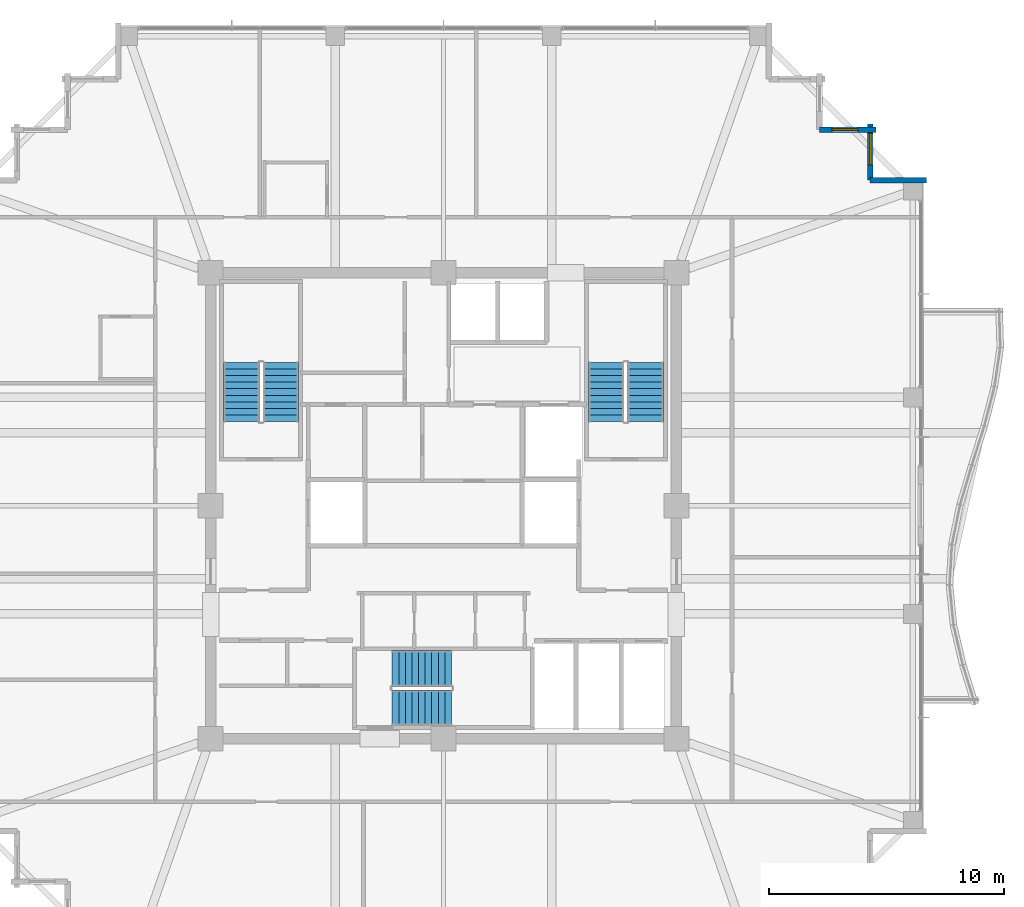
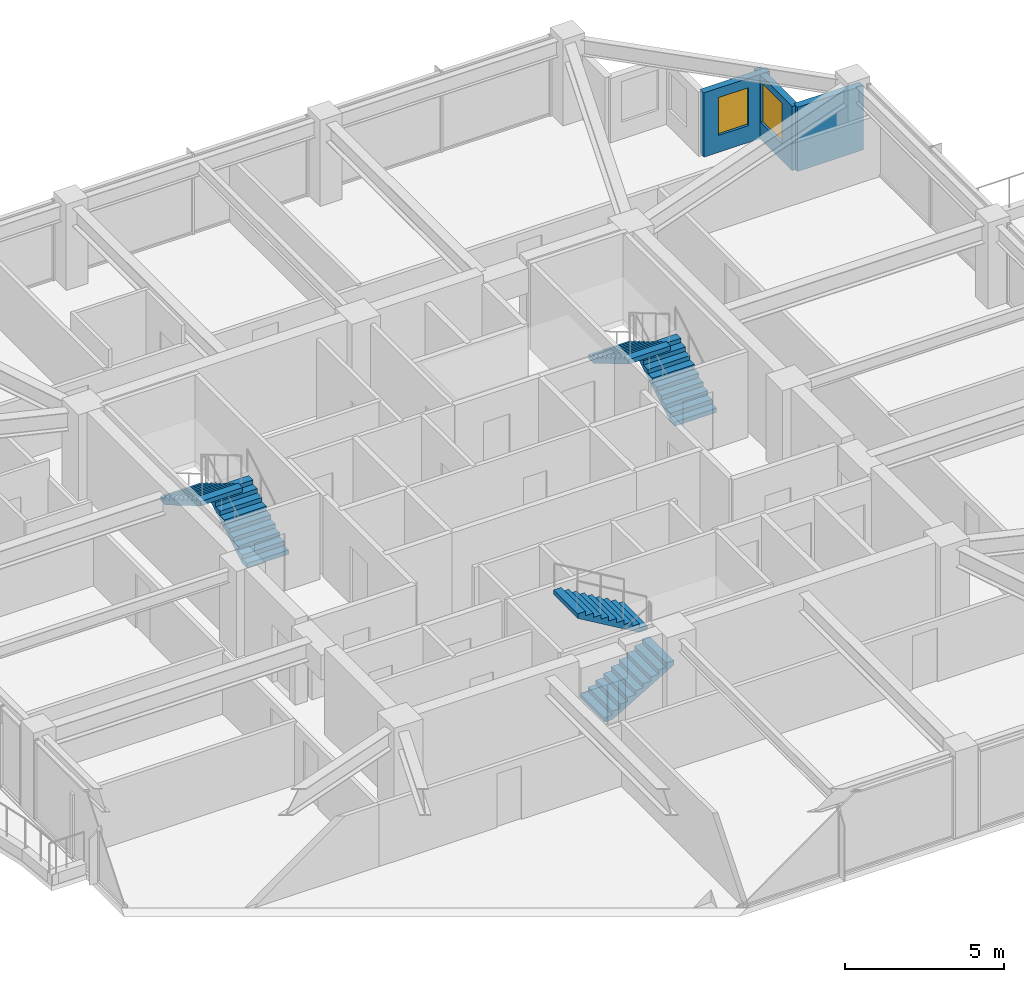
# One storey, part 32 of 34: 6 stair flights, 3 walls, 2 windows, 2 openings, 3 elements without a shape of their own.
"""IFC4 building model written with IfcOpenShell, lengths in metres."""

import ifcopenshell
import ifcopenshell.guid

model = None  # the IFC model being written
_history = None  # IfcOwnerHistory: only IFC2X3 demands one
_inside = {}  # id of a spatial element -> (the spatial element, [elements in it])
_under = {}  # id of a project, library or spatial element -> (it, [spatial elements below it])
_declared = {}  # id of a project -> (the project, [libraries it declares])
_typed = {}  # id of a type object -> (the type object, [elements of that type])
_made_of = {}  # id of a material, layer set ... -> (it, [elements and type objects made of it])


def new_model(schema):
    """Start an empty IFC model of exactly this schema.

    Asked for "IFC4X3", IfcOpenShell would pick the latest addendum, in which some entities
    have other attributes; the version numbers below select the first issue.
    IFC2X3 requires an IfcOwnerHistory on every rooted entity: one is made here for all.
    """
    global model, _history
    if schema == "IFC4X3":
        model = ifcopenshell.file(schema_version=(4, 3, 0, 0))
    else:
        model = ifcopenshell.file(schema=schema)
    _inside.clear()
    _under.clear()
    _declared.clear()
    _typed.clear()
    _made_of.clear()
    _history = None
    if model.schema == "IFC2X3":
        org = make("IfcOrganization", Name="unknown")
        user = make(
            "IfcPersonAndOrganization",
            ThePerson=make("IfcPerson", FamilyName="unknown"),
            TheOrganization=org,
        )
        app = make(
            "IfcApplication",
            ApplicationDeveloper=org,
            Version="unknown",
            ApplicationFullName="unknown",
            ApplicationIdentifier="unknown",
        )
        _history = make(
            "IfcOwnerHistory",
            OwningUser=user,
            OwningApplication=app,
            ChangeAction="ADDED",
            CreationDate=0,
        )
    return model


def make(cls, **values):
    """One entity of the class cls with the attributes given. An attribute that is None is left unset."""
    return model.create_entity(
        cls, **{name: value for name, value in values.items() if value is not None}
    )


def rooted(cls, **values):
    """An entity with a GlobalId (a new one), such as an element, a storey or a relation."""
    return make(cls, GlobalId=ifcopenshell.guid.new(), OwnerHistory=_history, **values)


def si_unit(unit_type, name, prefix=None):
    """IfcSIUnit, for example si_unit("LENGTHUNIT", "METRE", prefix="MILLI")."""
    return make("IfcSIUnit", UnitType=unit_type, Prefix=prefix, Name=name)


def assignment(units):
    """IfcUnitAssignment: the units of a project."""
    return None if units is None else make("IfcUnitAssignment", Units=units)


def point(xyz):
    """IfcCartesianPoint."""
    return None if xyz is None else make("IfcCartesianPoint", Coordinates=xyz)


def direction(xyz):
    """IfcDirection."""
    return None if xyz is None else make("IfcDirection", DirectionRatios=xyz)


def frame(location, z_axis=None, x_axis=None):
    """IfcAxis2Placement3D, a coordinate frame: its origin and axes. An axis left out is left unset."""
    return make(
        "IfcAxis2Placement3D",
        Location=point(location),
        Axis=direction(z_axis),
        RefDirection=direction(x_axis),
    )


def frame_2d(location, x_axis=None):
    """IfcAxis2Placement2D, a coordinate frame in the plane: its origin and x axis."""
    return make(
        "IfcAxis2Placement2D", Location=point(location), RefDirection=direction(x_axis)
    )


def origin():
    """The frame at (0, 0, 0) with its axes left unset."""
    return frame((0.0, 0.0, 0.0))


def place(relative_to, where):
    """IfcLocalPlacement: puts the frame where relative to a parent placement (None: the world)."""
    return make(
        "IfcLocalPlacement", PlacementRelTo=relative_to, RelativePlacement=where
    )


def context(
    kind, dimensions, precision=None, world=None, true_north=None, identifier=None
):
    """IfcGeometricRepresentationContext, for example the 3D "Model" context."""
    return make(
        "IfcGeometricRepresentationContext",
        ContextIdentifier=identifier,
        ContextType=kind,
        CoordinateSpaceDimension=dimensions,
        Precision=precision,
        WorldCoordinateSystem=world,
        TrueNorth=true_north,
    )


def subcontext(parent, identifier, kind, view, scale=None):
    """IfcGeometricRepresentationSubContext, for example "Body" below "Model"."""
    return make(
        "IfcGeometricRepresentationSubContext",
        ContextIdentifier=identifier,
        ContextType=kind,
        ParentContext=parent,
        TargetScale=scale,
        TargetView=view,
    )


def project(units=None, contexts=None):
    """IfcProject with its units and contexts."""
    return rooted(
        "IfcProject",
        Name="project",
        RepresentationContexts=contexts,
        UnitsInContext=assignment(units),
    )


def spatial(cls, under=None, at=None, **own):
    """A site, building, storey or space (cls), placed at a placement, below another one or the project."""
    s = rooted(cls, ObjectPlacement=at, **own)
    if under is not None:
        _under.setdefault(under.id(), (under, []))[1].append(s)
    return s


def polyline(points):
    """IfcPolyline through the points."""
    return make("IfcPolyline", Points=[point(p) for p in points])


def profile(cls, at=None, kind="AREA", **sizes):
    """A parametric profile (cls). Its sizes go by their IFC names, for example OverallWidth=200.0."""
    return make(cls, ProfileType=kind, Position=at, **sizes)


def rectangle(**sizes):
    """IfcRectangleProfileDef."""
    return profile("IfcRectangleProfileDef", **sizes)


def outline(outer, holes=None, kind="AREA"):
    """IfcArbitraryClosedProfileDef: a profile drawn as a closed curve; with holes, ...WithVoids."""
    if holes is None:
        return make("IfcArbitraryClosedProfileDef", ProfileType=kind, OuterCurve=outer)
    return make(
        "IfcArbitraryProfileDefWithVoids",
        ProfileType=kind,
        OuterCurve=outer,
        InnerCurves=holes,
    )


def extrude(swept, where, along, depth):
    """IfcExtrudedAreaSolid: the profile swept, set in the frame where, extruded along a direction by depth."""
    return make(
        "IfcExtrudedAreaSolid",
        SweptArea=swept,
        Position=where,
        ExtrudedDirection=direction(along),
        Depth=depth,
    )


def shape(context_of_items, identifier, shape_type, items):
    """IfcShapeRepresentation: the items that make up one representation, for example the "Body"."""
    return make(
        "IfcShapeRepresentation",
        ContextOfItems=context_of_items,
        RepresentationIdentifier=identifier,
        RepresentationType=shape_type,
        Items=items,
    )


def material(Name=None, Category=None):
    """IfcMaterial."""
    return make("IfcMaterial", Name=Name, Category=Category)


def layer(
    of_material, thickness, ventilated=None, Name=None, Category=None, Priority=None
):
    """IfcMaterialLayer: one layer of a wall or slab, of a material (None: an air gap)."""
    return make(
        "IfcMaterialLayer",
        Material=of_material,
        LayerThickness=thickness,
        IsVentilated=ventilated,
        Name=Name,
        Category=Category,
        Priority=Priority,
    )


def layer_set(layers, Name=None):
    """IfcMaterialLayerSet."""
    return make("IfcMaterialLayerSet", MaterialLayers=layers, LayerSetName=Name)


def made_of(thing, what):
    """Note that an element or type object is made of a material, layer set ...; save() writes the relation."""
    if what is not None:
        _made_of.setdefault(what.id(), (what, []))[1].append(thing)
    return thing


def type_object(cls, material=None, **own):
    """A type object (cls), such as IfcWallType, which elements share."""
    return made_of(rooted(cls, **own), material)


def element(
    cls,
    number,
    at=None,
    inside=None,
    cuts=None,
    type_object=None,
    material=None,
    context=None,
    identifier="Body",
    shape_type=None,
    held_by="IfcProductDefinitionShape",
    body=None,
    shapes=None,
    **own,
):
    """One element of the class cls, such as IfcWall. Its Tag is "e" and its number.

    at: its placement. inside: the storey or other place that contains it. cuts: it is an
    opening in that element (IfcRelVoidsElement). A single representation is given by context,
    identifier, shape_type and body (its items); several are given by shapes. held_by: the class
    of the entity that holds the representations. save() writes the other relations.
    """
    e = rooted(cls, Tag="e%d" % number, ObjectPlacement=at, **own)
    if body is not None:
        shapes = [shape(context, identifier, shape_type, body)]
    if shapes is not None:
        e.Representation = make(held_by, Representations=shapes)
    if inside is not None:
        _inside.setdefault(inside.id(), (inside, []))[1].append(e)
    if cuts is not None:
        rooted(
            "IfcRelVoidsElement", RelatingBuildingElement=cuts, RelatedOpeningElement=e
        )
    if type_object is not None:
        _typed.setdefault(type_object.id(), (type_object, []))[1].append(e)
    return made_of(e, material)


def fill(opening, filler):
    """IfcRelFillsElement: the door or window that sits in an opening."""
    return rooted(
        "IfcRelFillsElement",
        RelatingOpeningElement=opening,
        RelatedBuildingElement=filler,
    )


def aggregate(whole, parts):
    """IfcRelAggregates: a whole, such as a stair, and the parts it consists of."""
    return rooted("IfcRelAggregates", RelatingObject=whole, RelatedObjects=parts)


def save(model, path):
    """Write the relations noted so far, then the file.

    IfcRelAggregates (storeys below a building ...), IfcRelContainedInSpatialStructure (elements
    in a storey), IfcRelDefinesByType, IfcRelAssociatesMaterial and IfcRelDeclares: one each for
    every whole, place, type object, material and project.
    """
    for whole, parts in _under.values():
        aggregate(whole, parts)
    for where, things in _inside.values():
        rooted(
            "IfcRelContainedInSpatialStructure",
            RelatedElements=things,
            RelatingStructure=where,
        )
    for kind, things in _typed.values():
        rooted("IfcRelDefinesByType", RelatedObjects=things, RelatingType=kind)
    for what, things in _made_of.values():
        rooted("IfcRelAssociatesMaterial", RelatedObjects=things, RelatingMaterial=what)
    for by, libraries in _declared.values():
        rooted("IfcRelDeclares", RelatingContext=by, RelatedDefinitions=libraries)
    model.write(path)


model = new_model("IFC4")

# Units and contexts
model_context = context("Model", 3, precision=1e-05, world=origin(), true_north=direction((0.0, 1.0)))
body_context = subcontext(model_context, "Body", "Model", "MODEL_VIEW")
ifc_project = project(units=[si_unit("LENGTHUNIT", "METRE"), si_unit("AREAUNIT", "SQUARE_METRE"), si_unit("VOLUMEUNIT", "CUBIC_METRE"), si_unit("PLANEANGLEUNIT", "RADIAN"), si_unit("MASSUNIT", "GRAM", prefix="KILO")], contexts=[model_context])

# Site, building, storey
site_placement = place(None, origin())
site = spatial("IfcSite", under=ifc_project, at=site_placement, CompositionType="ELEMENT")
building_placement = place(site_placement, origin())
building = spatial("IfcBuilding", under=site, at=building_placement, Name="Kolvaren Belvedere", CompositionType="ELEMENT")
storey_placement = place(building_placement, frame((0.0, 0.0, 222.89990234375)))
storey = spatial("IfcBuildingStorey", under=building, at=storey_placement, Name="L65", CompositionType="ELEMENT", Elevation=222.89990234375)

# Wall
ifc_material_1 = material(Name="Insulated pale-metal facade wall assembly", Category="aluminium")
ifc_layer = layer(ifc_material_1, 0.239990234375)
ifc_layer_set = layer_set([ifc_layer], Name="Insulated pale-metal facade wall assembly")
wall_type = type_object("IfcWallType", Name="WL-EXT-240", PredefinedType="STANDARD", material=ifc_layer_set)
wall_1_placement = place(storey_placement, frame((18.1298828125, 13.830078125, 0.0), z_axis=(0.0, 0.0, 1.0), x_axis=(1.0, 0.0, 0.0)))
element("IfcWall", 1, at=wall_1_placement, inside=storey, type_object=wall_type, Name="L65 Serrated Corner Facade Wall 9", PredefinedType="STANDARD", context=body_context, shape_type="SweptSolid", body=[
    extrude(rectangle(XDim=2.39013671875, YDim=0.239990234375, at=frame_2d((1.195068359375, 0.0))), origin(), (0.0, 0.0, 1.0), 2.463134765625),
])

# Wall, opening, window
wall_2_placement = place(storey_placement, frame((18.1298828125, 16.219970703125, 0.0), z_axis=(0.0, 0.0, 1.0), x_axis=(0.0, -1.0, 0.0)))
wall_2 = element("IfcWall", 2, at=wall_2_placement, inside=storey, type_object=wall_type, Name="L65 Serrated Corner Facade Wall 10", PredefinedType="STANDARD", context=body_context, shape_type="SweptSolid", body=[
    extrude(rectangle(XDim=2.389892578125, YDim=0.239990234375, at=frame_2d((1.19482421875, 0.0))), origin(), (0.0, 0.0, 1.0), 2.463134765625),
])
opening_1_placement = place(wall_2_placement, frame((0.39990234375, 0.0, 0.64990234375)))
opening_1 = element("IfcOpeningElement", 3, at=opening_1_placement, cuts=wall_2, Name="Opening W-1350", PredefinedType="OPENING", context=body_context, shape_type="SweptSolid", body=[
    extrude(rectangle(XDim=1.35009765625, YDim=1.550048828125, at=frame_2d((0.675048828125, 0.77490234375))), frame((0.0, 0.1298828125, 0.0), z_axis=(0.0, -1.0, 0.0), x_axis=(1.0, 0.0, 0.0)), (0.0, 0.0, 1.0), 0.260009765625),
])
ifc_material_2 = material(Name="Low-iron triple insulated glass", Category="glass")
window_type_1 = type_object("IfcWindowType", Name="WN-CORN-1350", PartitioningType="SINGLE_PANEL", PredefinedType="WINDOW", material=ifc_material_2)
window_1_placement = place(opening_1_placement, origin())
window_1 = element("IfcWindow", 4, at=window_1_placement, inside=storey, type_object=window_type_1, Name="L65 Serrated Corner Vision Window 10", OverallHeight=1.550048828125, OverallWidth=1.35009765625, PartitioningType="SINGLE_PANEL", PredefinedType="WINDOW", context=body_context, shape_type="SweptSolid", body=[
    extrude(rectangle(XDim=1.35009765625, YDim=1.550048828125, at=frame_2d((0.675048828125, 0.77490234375))), frame((0.0, 0.030029296875, 0.0), z_axis=(0.0, -1.0, 0.0), x_axis=(1.0, 0.0, 0.0)), (0.0, 0.0, 1.0), 0.06005859375),
])
fill(opening_1, window_1)

wall_3_placement = place(storey_placement, frame((15.97998046875, 15.97998046875, 0.0), z_axis=(0.0, 0.0, 1.0), x_axis=(1.0, 0.0, 0.0)))
wall_3 = element("IfcWall", 5, at=wall_3_placement, inside=storey, type_object=wall_type, Name="L65 Serrated Corner Facade Wall 11", PredefinedType="STANDARD", context=body_context, shape_type="SweptSolid", body=[
    extrude(rectangle(XDim=2.39013671875, YDim=0.239990234375, at=frame_2d((1.195068359375, 0.0))), origin(), (0.0, 0.0, 1.0), 2.463134765625),
])
opening_2_placement = place(wall_3_placement, frame((0.52490234375, 0.0, 0.64990234375)))
opening_2 = element("IfcOpeningElement", 6, at=opening_2_placement, cuts=wall_3, Name="Opening W-1100", PredefinedType="OPENING", context=body_context, shape_type="SweptSolid", body=[
    extrude(rectangle(XDim=1.10009765625, YDim=1.449951171875, at=frame_2d((0.550048828125, 0.72509765625))), frame((0.0, 0.1298828125, 0.0), z_axis=(0.0, -1.0, 0.0), x_axis=(1.0, 0.0, 0.0)), (0.0, 0.0, 1.0), 0.260009765625),
])
ifc_material_3 = material(Name="Low-iron triple insulated glass", Category="glass")
window_type_2 = type_object("IfcWindowType", Name="WN-CORN-1100", PartitioningType="SINGLE_PANEL", PredefinedType="WINDOW", material=ifc_material_3)
window_2_placement = place(opening_2_placement, origin())
window_2 = element("IfcWindow", 7, at=window_2_placement, inside=storey, type_object=window_type_2, Name="L65 Serrated Corner Vision Window 11", OverallHeight=1.449951171875, OverallWidth=1.10009765625, PartitioningType="SINGLE_PANEL", PredefinedType="WINDOW", context=body_context, shape_type="SweptSolid", body=[
    extrude(rectangle(XDim=1.10009765625, YDim=1.449951171875, at=frame_2d((0.550048828125, 0.72509765625))), frame((0.0, 0.030029296875, 0.0), z_axis=(0.0, -1.0, 0.0), x_axis=(1.0, 0.0, 0.0)), (0.0, 0.0, 1.0), 0.06005859375),
])
fill(opening_2, window_2)

# Stair, stair flights
ifc_material_4 = material(Name="Concrete C50/60", Category="concrete")
stair_type = type_object("IfcStairType", Name="ST-CORE-1520", PredefinedType="HALF_TURN_STAIR", material=ifc_material_4)
stair_1_placement = place(storey_placement, origin())
stair_1 = element("IfcStair", 8, at=stair_1_placement, inside=storey, type_object=stair_type, Name="L65 Protected Exit Stair ST-1", PredefinedType="HALF_TURN_STAIR")
ifc_material_5 = material(Name="Concrete C50/60", Category="concrete")
stair_flight_type = type_object("IfcStairFlightType", Name="SF-STR-1520", PredefinedType="STRAIGHT", material=ifc_material_5)
stair_flight_1_placement = place(storey_placement, frame((-6.919921875, 3.570068359375, 0.0), z_axis=(0.0, 0.0, 1.0), x_axis=(0.0, 1.0, 0.0)))
stair_flight_1 = element("IfcStairFlight", 9, at=stair_flight_1_placement, type_object=stair_flight_type, Name="ST-1 flight 1", NumberOfRisers=10, NumberOfTreads=9, PredefinedType="STRAIGHT", RiserHeight=0.165, TreadLength=0.28, context=body_context, shape_type="SweptSolid", body=[
    extrude(outline(polyline([(0.0, 0.0), (0.0, 0.1650390625), (0.280029296875, 0.1650390625), (0.280029296875, 0.330078125), (0.56005859375, 0.330078125), (0.56005859375, 0.4951171875), (0.840087890625, 0.4951171875), (0.840087890625, 0.659912109375), (1.1201171875, 0.659912109375), (1.1201171875, 0.824951171875), (1.39990234375, 0.824951171875), (1.39990234375, 0.989990234375), (1.679931640625, 0.989990234375), (1.679931640625, 1.155029296875), (1.9599609375, 1.155029296875), (1.9599609375, 1.320068359375), (2.239990234375, 1.320068359375), (2.239990234375, 1.485107421875), (2.52001953125, 1.485107421875), (2.52001953125, 1.64990234375), (2.52001953125, 1.31103515625), (0.295166015625, 0.0), (0.0, 0.0)])), frame((0.0, 0.760009765625, 0.0), z_axis=(0.0, -1.0, 0.0), x_axis=(1.0, 0.0, 0.0)), (0.0, 0.0, 1.0), 1.52001953125),
])
stair_flight_2_placement = place(storey_placement, frame((-8.590087890625, 6.090087890625, 1.650146484375), z_axis=(0.0, 0.0, 1.0), x_axis=(0.0, -1.0, 0.0)))
stair_flight_2 = element("IfcStairFlight", 10, at=stair_flight_2_placement, type_object=stair_flight_type, Name="ST-1 flight 2", NumberOfRisers=10, NumberOfTreads=9, PredefinedType="STRAIGHT", RiserHeight=0.165, TreadLength=0.28, context=body_context, shape_type="SweptSolid", body=[
    extrude(outline(polyline([(0.0, 0.0), (0.0, 0.1650390625), (0.280029296875, 0.1650390625), (0.280029296875, 0.330078125), (0.56005859375, 0.330078125), (0.56005859375, 0.4951171875), (0.840087890625, 0.4951171875), (0.840087890625, 0.659912109375), (1.1201171875, 0.659912109375), (1.1201171875, 0.824951171875), (1.39990234375, 0.824951171875), (1.39990234375, 0.989990234375), (1.679931640625, 0.989990234375), (1.679931640625, 1.155029296875), (1.9599609375, 1.155029296875), (1.9599609375, 1.320068359375), (2.239990234375, 1.320068359375), (2.239990234375, 1.485107421875), (2.52001953125, 1.485107421875), (2.52001953125, 1.64990234375), (2.52001953125, 1.31103515625), (0.295166015625, 0.0), (0.0, 0.0)])), frame((0.0, 0.760009765625, 0.0), z_axis=(0.0, -1.0, 0.0), x_axis=(1.0, 0.0, 0.0)), (0.0, 0.0, 1.0), 1.52001953125),
])
aggregate(stair_1, [stair_flight_1, stair_flight_2])

stair_2_placement = place(storey_placement, origin())
stair_2 = element("IfcStair", 11, at=stair_2_placement, inside=storey, type_object=stair_type, Name="L65 Protected Exit Stair ST-2", PredefinedType="HALF_TURN_STAIR")
stair_flight_3_placement = place(storey_placement, frame((8.590087890625, 3.570068359375, 0.0), z_axis=(0.0, 0.0, 1.0), x_axis=(0.0, 1.0, 0.0)))
stair_flight_3 = element("IfcStairFlight", 12, at=stair_flight_3_placement, type_object=stair_flight_type, Name="ST-2 flight 1", NumberOfRisers=10, NumberOfTreads=9, PredefinedType="STRAIGHT", RiserHeight=0.165, TreadLength=0.28, context=body_context, shape_type="SweptSolid", body=[
    extrude(outline(polyline([(0.0, 0.0), (0.0, 0.1650390625), (0.280029296875, 0.1650390625), (0.280029296875, 0.330078125), (0.56005859375, 0.330078125), (0.56005859375, 0.4951171875), (0.840087890625, 0.4951171875), (0.840087890625, 0.659912109375), (1.1201171875, 0.659912109375), (1.1201171875, 0.824951171875), (1.39990234375, 0.824951171875), (1.39990234375, 0.989990234375), (1.679931640625, 0.989990234375), (1.679931640625, 1.155029296875), (1.9599609375, 1.155029296875), (1.9599609375, 1.320068359375), (2.239990234375, 1.320068359375), (2.239990234375, 1.485107421875), (2.52001953125, 1.485107421875), (2.52001953125, 1.64990234375), (2.52001953125, 1.31103515625), (0.295166015625, 0.0), (0.0, 0.0)])), frame((0.0, 0.760009765625, 0.0), z_axis=(0.0, -1.0, 0.0), x_axis=(1.0, 0.0, 0.0)), (0.0, 0.0, 1.0), 1.52001953125),
])
stair_flight_4_placement = place(storey_placement, frame((6.919921875, 6.090087890625, 1.650146484375), z_axis=(0.0, 0.0, 1.0), x_axis=(0.0, -1.0, 0.0)))
stair_flight_4 = element("IfcStairFlight", 13, at=stair_flight_4_placement, type_object=stair_flight_type, Name="ST-2 flight 2", NumberOfRisers=10, NumberOfTreads=9, PredefinedType="STRAIGHT", RiserHeight=0.165, TreadLength=0.28, context=body_context, shape_type="SweptSolid", body=[
    extrude(outline(polyline([(0.0, 0.0), (0.0, 0.1650390625), (0.280029296875, 0.1650390625), (0.280029296875, 0.330078125), (0.56005859375, 0.330078125), (0.56005859375, 0.4951171875), (0.840087890625, 0.4951171875), (0.840087890625, 0.659912109375), (1.1201171875, 0.659912109375), (1.1201171875, 0.824951171875), (1.39990234375, 0.824951171875), (1.39990234375, 0.989990234375), (1.679931640625, 0.989990234375), (1.679931640625, 1.155029296875), (1.9599609375, 1.155029296875), (1.9599609375, 1.320068359375), (2.239990234375, 1.320068359375), (2.239990234375, 1.485107421875), (2.52001953125, 1.485107421875), (2.52001953125, 1.64990234375), (2.52001953125, 1.31103515625), (0.295166015625, 0.0), (0.0, 0.0)])), frame((0.0, 0.760009765625, 0.0), z_axis=(0.0, -1.0, 0.0), x_axis=(1.0, 0.0, 0.0)), (0.0, 0.0, 1.0), 1.52001953125),
])
aggregate(stair_2, [stair_flight_3, stair_flight_4])

stair_3_placement = place(storey_placement, origin())
stair_3 = element("IfcStair", 14, at=stair_3_placement, inside=storey, type_object=stair_type, Name="L65 Protected Exit Stair ST-3", PredefinedType="HALF_TURN_STAIR")
stair_flight_5_placement = place(storey_placement, frame((-2.179931640625, -8.590087890625, 0.0), z_axis=(0.0, 0.0, 1.0), x_axis=(1.0, 0.0, 0.0)))
stair_flight_5 = element("IfcStairFlight", 15, at=stair_flight_5_placement, type_object=stair_flight_type, Name="ST-3 flight 1", NumberOfRisers=10, NumberOfTreads=9, PredefinedType="STRAIGHT", RiserHeight=0.165, TreadLength=0.28, context=body_context, shape_type="SweptSolid", body=[
    extrude(outline(polyline([(0.0, 0.0), (0.0, 0.1650390625), (0.280029296875, 0.1650390625), (0.280029296875, 0.330078125), (0.56005859375, 0.330078125), (0.56005859375, 0.4951171875), (0.840087890625, 0.4951171875), (0.840087890625, 0.659912109375), (1.1201171875, 0.659912109375), (1.1201171875, 0.824951171875), (1.39990234375, 0.824951171875), (1.39990234375, 0.989990234375), (1.679931640625, 0.989990234375), (1.679931640625, 1.155029296875), (1.9599609375, 1.155029296875), (1.9599609375, 1.320068359375), (2.239990234375, 1.320068359375), (2.239990234375, 1.485107421875), (2.52001953125, 1.485107421875), (2.52001953125, 1.64990234375), (2.52001953125, 1.31103515625), (0.295166015625, 0.0), (0.0, 0.0)])), frame((0.0, 0.760009765625, 0.0), z_axis=(0.0, -1.0, 0.0), x_axis=(1.0, 0.0, 0.0)), (0.0, 0.0, 1.0), 1.52001953125),
])
stair_flight_6_placement = place(storey_placement, frame((0.340087890625, -6.919921875, 1.650146484375), z_axis=(0.0, 0.0, 1.0), x_axis=(-1.0, 0.0, 0.0)))
stair_flight_6 = element("IfcStairFlight", 16, at=stair_flight_6_placement, type_object=stair_flight_type, Name="ST-3 flight 2", NumberOfRisers=10, NumberOfTreads=9, PredefinedType="STRAIGHT", RiserHeight=0.165, TreadLength=0.28, context=body_context, shape_type="SweptSolid", body=[
    extrude(outline(polyline([(0.0, 0.0), (0.0, 0.1650390625), (0.280029296875, 0.1650390625), (0.280029296875, 0.330078125), (0.56005859375, 0.330078125), (0.56005859375, 0.4951171875), (0.840087890625, 0.4951171875), (0.840087890625, 0.659912109375), (1.1201171875, 0.659912109375), (1.1201171875, 0.824951171875), (1.39990234375, 0.824951171875), (1.39990234375, 0.989990234375), (1.679931640625, 0.989990234375), (1.679931640625, 1.155029296875), (1.9599609375, 1.155029296875), (1.9599609375, 1.320068359375), (2.239990234375, 1.320068359375), (2.239990234375, 1.485107421875), (2.52001953125, 1.485107421875), (2.52001953125, 1.64990234375), (2.52001953125, 1.31103515625), (0.295166015625, 0.0), (0.0, 0.0)])), frame((0.0, 0.760009765625, 0.0), z_axis=(0.0, -1.0, 0.0), x_axis=(1.0, 0.0, 0.0)), (0.0, 0.0, 1.0), 1.52001953125),
])
aggregate(stair_3, [stair_flight_5, stair_flight_6])

save(model, "model.ifc")
